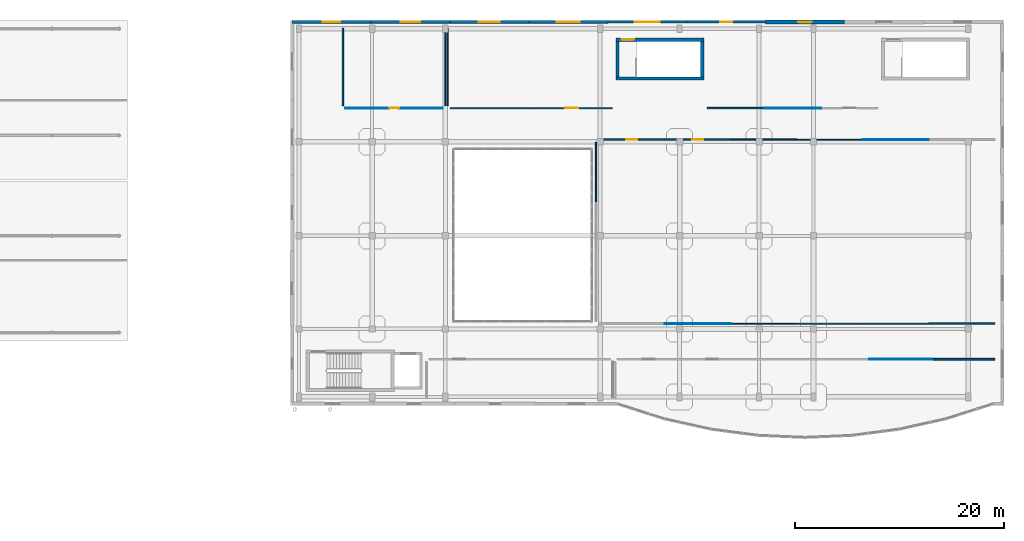
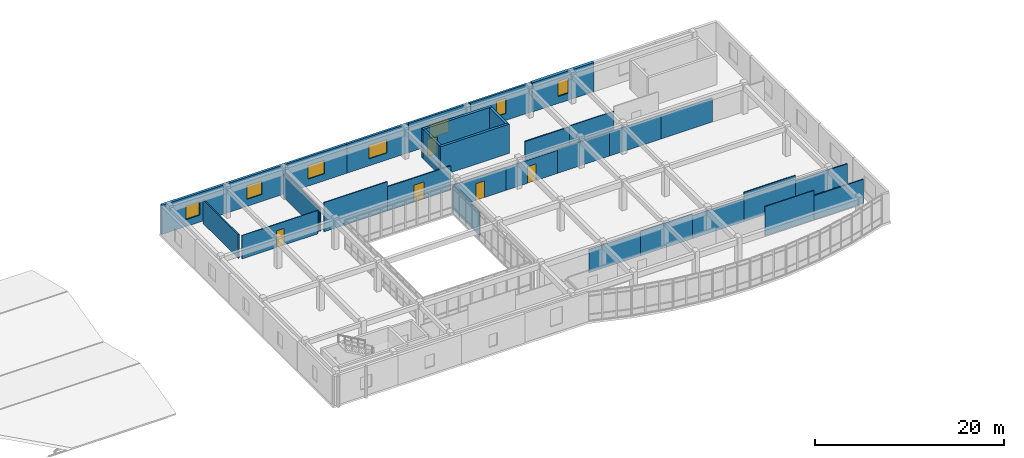
# One storey, part 82 of 91: 32 walls, 7 windows, 5 doors, 12 openings.
"""IFC4 building model written with IfcOpenShell, lengths in metres."""

from ifc_helpers import new_model, si_unit, direction, frame, frame_2d, origin, place, context, subcontext, project, spatial, rectangle, extrude, material, layer, layer_set, type_object, element, fill, save


model = new_model("IFC4")

# Units and contexts
model_context = context("Model", 3, precision=1e-05, world=origin(), true_north=direction((0.0, 1.0)))
body_context = subcontext(model_context, "Body", "Model", "MODEL_VIEW")
ifc_project = project(units=[si_unit("LENGTHUNIT", "METRE"), si_unit("AREAUNIT", "SQUARE_METRE"), si_unit("VOLUMEUNIT", "CUBIC_METRE"), si_unit("PLANEANGLEUNIT", "RADIAN"), si_unit("MASSUNIT", "GRAM", prefix="KILO")], contexts=[model_context])

# Site, building, storey
site_placement = place(None, origin())
site = spatial("IfcSite", under=ifc_project, at=site_placement, CompositionType="ELEMENT")
building_placement = place(site_placement, origin())
building = spatial("IfcBuilding", under=site, at=building_placement, Name="Valcora Specialist Clinic", CompositionType="ELEMENT")
storey_placement = place(building_placement, frame((0.0, 0.0, 13.60009765625)))
storey = spatial("IfcBuildingStorey", under=building, at=storey_placement, Name="L03", CompositionType="ELEMENT", Elevation=13.60009765625)

# Wall
ifc_material_1 = material(Name="Concrete C40/50", Category="concrete")
ifc_layer_1 = layer(ifc_material_1, 0.300048828125)
ifc_layer_set_1 = layer_set([ifc_layer_1], Name="Concrete C40/50")
wall_type_1 = type_object("IfcWallType", Name="TY-WL-CR300", PredefinedType="SHEAR", material=ifc_layer_set_1)
wall_1_placement = place(storey_placement, frame((92.300048828125, 105.25, 0.0), z_axis=(0.0, 0.0, 1.0), x_axis=(1.0, 0.0, 0.0)))
element("IfcWall", 1, at=wall_1_placement, inside=storey, type_object=wall_type_1, Name="Core shear wall WL-CR-C-V4B-L03-S", PredefinedType="SHEAR", context=body_context, shape_type="SweptSolid", body=[
    extrude(rectangle(XDim=8.419921875, YDim=0.300048828125, at=frame_2d((4.2099609375, 0.0))), origin(), (0.0, 0.0, 1.0), 3.77490234375),
])

# Wall, opening, door
wall_2_placement = place(storey_placement, frame((92.300048828125, 108.949951171875, 0.0), z_axis=(0.0, 0.0, 1.0), x_axis=(1.0, 0.0, 0.0)))
wall_2 = element("IfcWall", 2, at=wall_2_placement, inside=storey, type_object=wall_type_1, Name="Core shear wall WL-CR-C-V4B-L03-N", PredefinedType="SHEAR", context=body_context, shape_type="SweptSolid", body=[
    extrude(rectangle(XDim=8.419921875, YDim=0.300048828125, at=frame_2d((4.2099609375, 0.0))), origin(), (0.0, 0.0, 1.0), 3.77490234375),
])
opening_1_placement = place(wall_2_placement, frame((0.550048828125, 0.0, 0.0)))
opening_1 = element("IfcOpeningElement", 3, at=opening_1_placement, cuts=wall_2, Name="Opening DR-FD-120", PredefinedType="OPENING", context=body_context, shape_type="SweptSolid", body=[
    extrude(rectangle(XDim=1.199951171875, YDim=2.199951171875, at=frame_2d((0.60009765625, 1.10009765625))), frame((0.0, 0.159912109375, 0.0), z_axis=(0.0, -1.0, 0.0), x_axis=(1.0, 0.0, 0.0)), (0.0, 0.0, 1.0), 0.320068359375),
])
ifc_material_2 = material(Name="Galvanized Hollow Metal Door Steel ASTM A653", Category="steel")
door_type_1 = type_object("IfcDoorType", Name="TY-DR-ST120", OperationType="NOTDEFINED", PredefinedType="DOOR", material=ifc_material_2)
door_1_placement = place(opening_1_placement, origin())
door_1 = element("IfcDoor", 4, at=door_1_placement, inside=storey, type_object=door_type_1, Name="Exit stair fire door C-V4B L03", OperationType="SINGLE_SWING_LEFT", OverallHeight=2.199951171875, OverallWidth=1.199951171875, PredefinedType="DOOR", context=body_context, shape_type="SweptSolid", body=[
    extrude(rectangle(XDim=1.199951171875, YDim=2.199951171875, at=frame_2d((0.60009765625, 1.10009765625))), frame((0.0, 0.02490234375, 0.0), z_axis=(0.0, -1.0, 0.0), x_axis=(1.0, 0.0, 0.0)), (0.0, 0.0, 1.0), 0.050048828125),
])
fill(opening_1, door_1)

# Walls
wall_3_placement = place(storey_placement, frame((92.449951171875, 105.402099609375, 0.0), z_axis=(0.0, 0.0, 1.0), x_axis=(0.0, 1.0, 0.0)))
element("IfcWall", 5, at=wall_3_placement, inside=storey, type_object=wall_type_1, Name="Core shear wall WL-CR-C-V4B-L03-W", PredefinedType="SHEAR", context=body_context, shape_type="SweptSolid", body=[
    extrude(rectangle(XDim=3.39599609375, YDim=0.300048828125, at=frame_2d((1.697998046875, 0.0))), origin(), (0.0, 0.0, 1.0), 3.77490234375),
])
ifc_layer_2 = layer(ifc_material_1, 0.320068359375)
ifc_layer_set_2 = layer_set([ifc_layer_2], Name="Concrete C40/50")
wall_type_2 = type_object("IfcWallType", Name="TY-WL-CR320", PredefinedType="SHEAR", material=ifc_layer_set_2)
wall_4_placement = place(storey_placement, frame((100.56005859375, 105.402099609375, 0.0), z_axis=(0.0, 0.0, 1.0), x_axis=(0.0, 1.0, 0.0)))
element("IfcWall", 6, at=wall_4_placement, inside=storey, type_object=wall_type_2, Name="Core shear wall WL-CR-C-V4B-L03-E", PredefinedType="SHEAR", context=body_context, shape_type="SweptSolid", body=[
    extrude(rectangle(XDim=3.39599609375, YDim=0.320068359375, at=frame_2d((1.697998046875, 0.0))), origin(), (0.0, 0.0, 1.0), 3.77490234375),
])

# Wall, opening, window
ifc_material_3 = material(Name="Extruded Jalisco Clay Brick Masonry", Category="masonry")
ifc_layer_3 = layer(ifc_material_3, 0.235107421875)
ifc_layer_set_3 = layer_set([ifc_layer_3], Name="Extruded Jalisco Clay Brick Masonry")
wall_type_3 = type_object("IfcWallType", Name="TY-WL-EW235", PredefinedType="SOLIDWALL", material=ifc_layer_set_3)
wall_5_placement = place(storey_placement, frame((99.072265625, 110.64990234375, 0.0), z_axis=(0.0, 0.0, 1.0), x_axis=(1.0, 0.0, 0.0)))
wall_5 = element("IfcWall", 7, at=wall_5_placement, inside=storey, type_object=wall_type_3, Name="Exterior wall WL-EXT-L03-0210", PredefinedType="SOLIDWALL", context=body_context, shape_type="SweptSolid", body=[
    extrude(rectangle(XDim=7.54443359375, YDim=0.235107421875, at=frame_2d((3.772216796875, 0.0))), origin(), (0.0, 0.0, 1.0), 3.77490234375),
])
opening_2_placement = place(wall_5_placement, frame((3.197021484375, 0.0, 0.89990234375)))
opening_2 = element("IfcOpeningElement", 8, at=opening_2_placement, cuts=wall_5, Name="Opening WN-21", PredefinedType="OPENING", context=body_context, shape_type="SweptSolid", body=[
    extrude(rectangle(XDim=1.14990234375, YDim=2.0, at=frame_2d((0.574951171875, 1.0))), frame((0.0, 0.12744140625, 0.0), z_axis=(0.0, -1.0, 0.0), x_axis=(1.0, 0.0, 0.0)), (0.0, 0.0, 1.0), 0.255126953125),
])
ifc_material_4 = material(Name="Low-E Laminated Insulating Glass", Category="glass")
window_type_1 = type_object("IfcWindowType", Name="TY-WN-21", PartitioningType="SINGLE_PANEL", PredefinedType="WINDOW", material=ifc_material_4)
window_1_placement = place(opening_2_placement, origin())
window_1 = element("IfcWindow", 9, at=window_1_placement, inside=storey, type_object=window_type_1, Name="Facade window WN-L03-0189", OverallHeight=2.0, OverallWidth=1.14990234375, PartitioningType="SINGLE_PANEL", PredefinedType="WINDOW", context=body_context, shape_type="SweptSolid", body=[
    extrude(rectangle(XDim=1.14990234375, YDim=2.0, at=frame_2d((0.574951171875, 1.0))), frame((0.0, 0.030029296875, 0.0), z_axis=(0.0, -1.0, 0.0), x_axis=(1.0, 0.0, 0.0)), (0.0, 0.0, 1.0), 0.06005859375),
])
fill(opening_2, window_1)

ifc_layer_4 = layer(ifc_material_3, 0.25)
ifc_layer_set_4 = layer_set([ifc_layer_4], Name="Extruded Jalisco Clay Brick Masonry")
wall_type_4 = type_object("IfcWallType", Name="TY-WL-EW250", PredefinedType="SOLIDWALL", material=ifc_layer_set_4)
wall_6_placement = place(storey_placement, frame((91.52783203125, 110.64990234375, 0.0), z_axis=(0.0, 0.0, 1.0), x_axis=(1.0, 0.0, 0.0)))
wall_6 = element("IfcWall", 10, at=wall_6_placement, inside=storey, type_object=wall_type_4, Name="Exterior wall WL-EXT-L03-0209", PredefinedType="SOLIDWALL", context=body_context, shape_type="SweptSolid", body=[
    extrude(rectangle(XDim=7.54443359375, YDim=0.25, at=frame_2d((3.772216796875, 0.0))), origin(), (0.0, 0.0, 1.0), 3.77490234375),
])
opening_3_placement = place(wall_6_placement, frame((2.572021484375, 0.0, 0.89990234375)))
opening_3 = element("IfcOpeningElement", 11, at=opening_3_placement, cuts=wall_6, Name="Opening WN-20", PredefinedType="OPENING", context=body_context, shape_type="SweptSolid", body=[
    extrude(rectangle(XDim=2.39990234375, YDim=1.75, at=frame_2d((1.199951171875, 0.875))), frame((0.0, 0.135009765625, 0.0), z_axis=(0.0, -1.0, 0.0), x_axis=(1.0, 0.0, 0.0)), (0.0, 0.0, 1.0), 0.27001953125),
])
window_type_2 = type_object("IfcWindowType", Name="TY-WN-20", PartitioningType="SINGLE_PANEL", PredefinedType="WINDOW", material=ifc_material_4)
window_2_placement = place(opening_3_placement, origin())
window_2 = element("IfcWindow", 12, at=window_2_placement, inside=storey, type_object=window_type_2, Name="Facade window WN-L03-0188", OverallHeight=1.75, OverallWidth=2.39990234375, PartitioningType="SINGLE_PANEL", PredefinedType="WINDOW", context=body_context, shape_type="SweptSolid", body=[
    extrude(rectangle(XDim=2.39990234375, YDim=1.75, at=frame_2d((1.199951171875, 0.875))), frame((0.0, 0.030029296875, 0.0), z_axis=(0.0, -1.0, 0.0), x_axis=(1.0, 0.0, 0.0)), (0.0, 0.0, 1.0), 0.06005859375),
])
fill(opening_3, window_2)

ifc_layer_5 = layer(ifc_material_3, 0.264892578125)
ifc_layer_set_5 = layer_set([ifc_layer_5], Name="Extruded Jalisco Clay Brick Masonry")
wall_type_5 = type_object("IfcWallType", Name="TY-WL-EW265", PredefinedType="SOLIDWALL", material=ifc_layer_set_5)
wall_7_placement = place(storey_placement, frame((83.9833984375, 110.64990234375, 0.0), z_axis=(0.0, 0.0, 1.0), x_axis=(1.0, 0.0, 0.0)))
wall_7 = element("IfcWall", 13, at=wall_7_placement, inside=storey, type_object=wall_type_5, Name="Exterior wall WL-EXT-L03-0208", PredefinedType="SOLIDWALL", context=body_context, shape_type="SweptSolid", body=[
    extrude(rectangle(XDim=7.54443359375, YDim=0.264892578125, at=frame_2d((3.772216796875, 0.0))), origin(), (0.0, 0.0, 1.0), 3.77490234375),
])
opening_4_placement = place(wall_7_placement, frame((2.672119140625, 0.0, 0.89990234375)))
opening_4 = element("IfcOpeningElement", 14, at=opening_4_placement, cuts=wall_7, Name="Opening WN-19", PredefinedType="OPENING", context=body_context, shape_type="SweptSolid", body=[
    extrude(rectangle(XDim=2.199951171875, YDim=1.75, at=frame_2d((1.10009765625, 0.875))), frame((0.0, 0.142333984375, 0.0), z_axis=(0.0, -1.0, 0.0), x_axis=(1.0, 0.0, 0.0)), (0.0, 0.0, 1.0), 0.284912109375),
])
window_type_3 = type_object("IfcWindowType", Name="TY-WN-19", PartitioningType="SINGLE_PANEL", PredefinedType="WINDOW", material=ifc_material_4)
window_3_placement = place(opening_4_placement, origin())
window_3 = element("IfcWindow", 15, at=window_3_placement, inside=storey, type_object=window_type_3, Name="Facade window WN-L03-0187", OverallHeight=1.75, OverallWidth=2.199951171875, PartitioningType="SINGLE_PANEL", PredefinedType="WINDOW", context=body_context, shape_type="SweptSolid", body=[
    extrude(rectangle(XDim=2.199951171875, YDim=1.75, at=frame_2d((1.10009765625, 0.875))), frame((0.0, 0.030029296875, 0.0), z_axis=(0.0, -1.0, 0.0), x_axis=(1.0, 0.0, 0.0)), (0.0, 0.0, 1.0), 0.06005859375),
])
fill(opening_4, window_3)

ifc_layer_6 = layer(ifc_material_3, 0.280029296875)
ifc_layer_set_6 = layer_set([ifc_layer_6], Name="Extruded Jalisco Clay Brick Masonry")
wall_type_6 = type_object("IfcWallType", Name="TY-WL-EW280", PredefinedType="SOLIDWALL", material=ifc_layer_set_6)
wall_8_placement = place(storey_placement, frame((76.43896484375, 110.64990234375, 0.0), z_axis=(0.0, 0.0, 1.0), x_axis=(1.0, 0.0, 0.0)))
wall_8 = element("IfcWall", 16, at=wall_8_placement, inside=storey, type_object=wall_type_6, Name="Exterior wall WL-EXT-L03-0207", PredefinedType="SOLIDWALL", context=body_context, shape_type="SweptSolid", body=[
    extrude(rectangle(XDim=7.54443359375, YDim=0.280029296875, at=frame_2d((3.772216796875, 0.0))), origin(), (0.0, 0.0, 1.0), 3.77490234375),
])
opening_5_placement = place(wall_8_placement, frame((2.77197265625, 0.0, 0.89990234375)))
opening_5 = element("IfcOpeningElement", 17, at=opening_5_placement, cuts=wall_8, Name="Opening WN-18", PredefinedType="OPENING", context=body_context, shape_type="SweptSolid", body=[
    extrude(rectangle(XDim=2.0, YDim=1.75, at=frame_2d((1.0, 0.875))), frame((0.0, 0.14990234375, 0.0), z_axis=(0.0, -1.0, 0.0), x_axis=(1.0, 0.0, 0.0)), (0.0, 0.0, 1.0), 0.300048828125),
])
window_type_4 = type_object("IfcWindowType", Name="TY-WN-18", PartitioningType="SINGLE_PANEL", PredefinedType="WINDOW", material=ifc_material_4)
window_4_placement = place(opening_5_placement, origin())
window_4 = element("IfcWindow", 18, at=window_4_placement, inside=storey, type_object=window_type_4, Name="Facade window WN-L03-0186", OverallHeight=1.75, OverallWidth=2.0, PartitioningType="SINGLE_PANEL", PredefinedType="WINDOW", context=body_context, shape_type="SweptSolid", body=[
    extrude(rectangle(XDim=2.0, YDim=1.75, at=frame_2d((1.0, 0.875))), frame((0.0, 0.030029296875, 0.0), z_axis=(0.0, -1.0, 0.0), x_axis=(1.0, 0.0, 0.0)), (0.0, 0.0, 1.0), 0.06005859375),
])
fill(opening_5, window_4)

ifc_layer_7 = layer(ifc_material_3, 0.294921875)
ifc_layer_set_7 = layer_set([ifc_layer_7], Name="Extruded Jalisco Clay Brick Masonry")
wall_type_7 = type_object("IfcWallType", Name="TY-WL-EW295", PredefinedType="SOLIDWALL", material=ifc_layer_set_7)
wall_9_placement = place(storey_placement, frame((68.894287109375, 110.64990234375, 0.0), z_axis=(0.0, 0.0, 1.0), x_axis=(1.0, 0.0, 0.0)))
wall_9 = element("IfcWall", 19, at=wall_9_placement, inside=storey, type_object=wall_type_7, Name="Exterior wall WL-EXT-L03-0206", PredefinedType="SOLIDWALL", context=body_context, shape_type="SweptSolid", body=[
    extrude(rectangle(XDim=7.544677734375, YDim=0.294921875, at=frame_2d((3.7724609375, 0.0))), origin(), (0.0, 0.0, 1.0), 3.77490234375),
])
opening_6_placement = place(wall_9_placement, frame((2.846923828125, 0.0, 0.89990234375)))
opening_6 = element("IfcOpeningElement", 20, at=opening_6_placement, cuts=wall_9, Name="Opening WN-17", PredefinedType="OPENING", context=body_context, shape_type="SweptSolid", body=[
    extrude(rectangle(XDim=1.85009765625, YDim=1.75, at=frame_2d((0.925048828125, 0.875))), frame((0.0, 0.157470703125, 0.0), z_axis=(0.0, -1.0, 0.0), x_axis=(1.0, 0.0, 0.0)), (0.0, 0.0, 1.0), 0.31494140625),
])
window_type_5 = type_object("IfcWindowType", Name="TY-WN-17", PartitioningType="SINGLE_PANEL", PredefinedType="WINDOW", material=ifc_material_4)
window_5_placement = place(opening_6_placement, origin())
window_5 = element("IfcWindow", 21, at=window_5_placement, inside=storey, type_object=window_type_5, Name="Facade window WN-L03-0185", OverallHeight=1.75, OverallWidth=1.85009765625, PartitioningType="SINGLE_PANEL", PredefinedType="WINDOW", context=body_context, shape_type="SweptSolid", body=[
    extrude(rectangle(XDim=1.85009765625, YDim=1.75, at=frame_2d((0.925048828125, 0.875))), frame((0.0, 0.030029296875, 0.0), z_axis=(0.0, -1.0, 0.0), x_axis=(1.0, 0.0, 0.0)), (0.0, 0.0, 1.0), 0.06005859375),
])
fill(opening_6, window_5)

ifc_layer_8 = layer(ifc_material_3, 0.31005859375)
ifc_layer_set_8 = layer_set([ifc_layer_8], Name="Extruded Jalisco Clay Brick Masonry")
wall_type_8 = type_object("IfcWallType", Name="TY-WL-EW310", PredefinedType="SOLIDWALL", material=ifc_layer_set_8)
wall_10_placement = place(storey_placement, frame((61.35009765625, 110.64990234375, 0.0), z_axis=(0.0, 0.0, 1.0), x_axis=(1.0, 0.0, 0.0)))
wall_10 = element("IfcWall", 22, at=wall_10_placement, inside=storey, type_object=wall_type_8, Name="Exterior wall WL-EXT-L03-0205", PredefinedType="SOLIDWALL", context=body_context, shape_type="SweptSolid", body=[
    extrude(rectangle(XDim=7.544189453125, YDim=0.31005859375, at=frame_2d((3.77197265625, 0.0))), origin(), (0.0, 0.0, 1.0), 3.77490234375),
])
opening_7_placement = place(wall_10_placement, frame((2.922119140625, 0.0, 0.89990234375)))
opening_7 = element("IfcOpeningElement", 23, at=opening_7_placement, cuts=wall_10, Name="Opening WN-16", PredefinedType="OPENING", context=body_context, shape_type="SweptSolid", body=[
    extrude(rectangle(XDim=1.699951171875, YDim=1.75, at=frame_2d((0.85009765625, 0.875))), frame((0.0, 0.1650390625, 0.0), z_axis=(0.0, -1.0, 0.0), x_axis=(1.0, 0.0, 0.0)), (0.0, 0.0, 1.0), 0.330078125),
])
window_type_6 = type_object("IfcWindowType", Name="TY-WN-16", PartitioningType="SINGLE_PANEL", PredefinedType="WINDOW", material=ifc_material_4)
window_6_placement = place(opening_7_placement, origin())
window_6 = element("IfcWindow", 24, at=window_6_placement, inside=storey, type_object=window_type_6, Name="Facade window WN-L03-0184", OverallHeight=1.75, OverallWidth=1.699951171875, PartitioningType="SINGLE_PANEL", PredefinedType="WINDOW", context=body_context, shape_type="SweptSolid", body=[
    extrude(rectangle(XDim=1.699951171875, YDim=1.75, at=frame_2d((0.85009765625, 0.875))), frame((0.0, 0.030029296875, 0.0), z_axis=(0.0, -1.0, 0.0), x_axis=(1.0, 0.0, 0.0)), (0.0, 0.0, 1.0), 0.06005859375),
])
fill(opening_7, window_6)

ifc_layer_9 = layer(ifc_material_3, 0.3701171875)
ifc_layer_set_9 = layer_set([ifc_layer_9], Name="Extruded Jalisco Clay Brick Masonry")
wall_type_9 = type_object("IfcWallType", Name="TY-WL-EW370", PredefinedType="SOLIDWALL", material=ifc_layer_set_9)
wall_11_placement = place(storey_placement, frame((106.61669921875, 110.64990234375, 0.0), z_axis=(0.0, 0.0, 1.0), x_axis=(1.0, 0.0, 0.0)))
wall_11 = element("IfcWall", 25, at=wall_11_placement, inside=storey, type_object=wall_type_9, Name="Exterior wall WL-EXT-L03-0211", PredefinedType="SOLIDWALL", context=body_context, shape_type="SweptSolid", body=[
    extrude(rectangle(XDim=7.54443359375, YDim=0.3701171875, at=frame_2d((3.772216796875, 0.0))), origin(), (0.0, 0.0, 1.0), 3.77490234375),
])
opening_8_placement = place(wall_11_placement, frame((3.1220703125, 0.0, 0.89990234375)))
opening_8 = element("IfcOpeningElement", 26, at=opening_8_placement, cuts=wall_11, Name="Opening WN-22", PredefinedType="OPENING", context=body_context, shape_type="SweptSolid", body=[
    extrude(rectangle(XDim=1.300048828125, YDim=2.0, at=frame_2d((0.64990234375, 1.0))), frame((0.0, 0.195068359375, 0.0), z_axis=(0.0, -1.0, 0.0), x_axis=(1.0, 0.0, 0.0)), (0.0, 0.0, 1.0), 0.39013671875),
])
window_type_7 = type_object("IfcWindowType", Name="TY-WN-22", PartitioningType="SINGLE_PANEL", PredefinedType="WINDOW", material=ifc_material_4)
window_7_placement = place(opening_8_placement, origin())
window_7 = element("IfcWindow", 27, at=window_7_placement, inside=storey, type_object=window_type_7, Name="Facade window WN-L03-0190", OverallHeight=2.0, OverallWidth=1.300048828125, PartitioningType="SINGLE_PANEL", PredefinedType="WINDOW", context=body_context, shape_type="SweptSolid", body=[
    extrude(rectangle(XDim=1.300048828125, YDim=2.0, at=frame_2d((0.64990234375, 1.0))), frame((0.0, 0.030029296875, 0.0), z_axis=(0.0, -1.0, 0.0), x_axis=(1.0, 0.0, 0.0)), (0.0, 0.0, 1.0), 0.06005859375),
])
fill(opening_8, window_7)

# Walls
ifc_material_5 = material(Name="Gypsum Board Partition Assembly")
ifc_layer_10 = layer(ifc_material_5, 0.094970703125)
ifc_layer_set_10 = layer_set([ifc_layer_10], Name="Gypsum Board Partition Assembly")
wall_type_10 = type_object("IfcWallType", Name="TY-WL-PT095", PredefinedType="PARTITIONING", material=ifc_layer_set_10)
wall_12_placement = place(storey_placement, frame((116.51708984375, 78.39990234375, 0.0), z_axis=(0.0, 0.0, 1.0), x_axis=(1.0, 0.0, 0.0)))
element("IfcWall", 28, at=wall_12_placement, inside=storey, type_object=wall_type_10, Name="Interior partition WL-INT-L03-0389", PredefinedType="PARTITIONING", context=body_context, shape_type="SweptSolid", body=[
    extrude(rectangle(XDim=6.015869140625, YDim=0.094970703125, at=frame_2d((3.0078125, 0.0))), origin(), (0.0, 0.0, 1.0), 3.77490234375),
])
wall_13_placement = place(storey_placement, frame((115.9169921875, 99.39990234375, 0.0), z_axis=(0.0, 0.0, 1.0), x_axis=(1.0, 0.0, 0.0)))
element("IfcWall", 29, at=wall_13_placement, inside=storey, type_object=wall_type_10, Name="Interior partition WL-INT-L03-0395", PredefinedType="PARTITIONING", context=body_context, shape_type="SweptSolid", body=[
    extrude(rectangle(XDim=6.31591796875, YDim=0.094970703125, at=frame_2d((3.157958984375, 0.0))), origin(), (0.0, 0.0, 1.0), 3.125),
])
wall_14_placement = place(storey_placement, frame((103.282958984375, 81.800048828125, 0.0), z_axis=(0.0, 0.0, 1.0), x_axis=(-1.0, 0.0, 0.0)))
element("IfcWall", 30, at=wall_14_placement, inside=storey, type_object=wall_type_10, Name="Interior partition WL-INT-L03-0401", PredefinedType="PARTITIONING", context=body_context, shape_type="SweptSolid", body=[
    extrude(rectangle(XDim=6.31591796875, YDim=0.094970703125, at=frame_2d((3.157958984375, 0.0))), origin(), (0.0, 0.0, 1.0), 3.02490234375),
])

# Wall, opening, door
wall_15_placement = place(storey_placement, frame((75.75, 102.39990234375, 0.0), z_axis=(0.0, 0.0, 1.0), x_axis=(-1.0, 0.0, 0.0)))
wall_15 = element("IfcWall", 31, at=wall_15_placement, inside=storey, type_object=wall_type_10, Name="Interior partition WL-INT-L03-0407", PredefinedType="PARTITIONING", context=body_context, shape_type="SweptSolid", body=[
    extrude(rectangle(XDim=9.300048828125, YDim=0.094970703125, at=frame_2d((4.64990234375, 0.0))), origin(), (0.0, 0.0, 1.0), 3.02490234375),
])
opening_9_placement = place(wall_15_placement, frame((4.175048828125, 0.0, 0.0)))
opening_9 = element("IfcOpeningElement", 32, at=opening_9_placement, cuts=wall_15, Name="Opening DR-WC-095", PredefinedType="OPENING", context=body_context, shape_type="SweptSolid", body=[
    extrude(rectangle(XDim=0.949951171875, YDim=2.14990234375, at=frame_2d((0.47509765625, 1.074951171875))), frame((0.0, 0.057373046875, 0.0), z_axis=(0.0, -1.0, 0.0), x_axis=(1.0, 0.0, 0.0)), (0.0, 0.0, 1.0), 0.114990234375),
])
ifc_material_6 = material(Name="Glulam Conifer Class 24F", Category="wood")
door_type_2 = type_object("IfcDoorType", Name="TY-DR-WC095", OperationType="NOTDEFINED", PredefinedType="DOOR", material=ifc_material_6)
door_2_placement = place(opening_9_placement, origin())
door_2 = element("IfcDoor", 33, at=door_2_placement, inside=storey, type_object=door_type_2, Name="Interior door DR-INT-L03-0112", OperationType="SINGLE_SWING_RIGHT", OverallHeight=2.14990234375, OverallWidth=0.949951171875, PredefinedType="DOOR", context=body_context, shape_type="SweptSolid", body=[
    extrude(rectangle(XDim=0.949951171875, YDim=2.14990234375, at=frame_2d((0.47509765625, 1.074951171875))), frame((0.0, 0.02490234375, 0.0), z_axis=(0.0, -1.0, 0.0), x_axis=(1.0, 0.0, 0.0)), (0.0, 0.0, 1.0), 0.050048828125),
])
fill(opening_9, door_2)

# Walls
wall_16_placement = place(storey_placement, frame((111.9169921875, 102.39990234375, 0.0), z_axis=(0.0, 0.0, 1.0), x_axis=(-1.0, 0.0, 0.0)))
element("IfcWall", 34, at=wall_16_placement, inside=storey, type_object=wall_type_10, Name="Interior partition WL-INT-L03-0413", PredefinedType="PARTITIONING", context=body_context, shape_type="SweptSolid", body=[
    extrude(rectangle(XDim=5.43408203125, YDim=0.094970703125, at=frame_2d((2.717041015625, 0.0))), origin(), (0.0, 0.0, 1.0), 3.1748046875),
])
ifc_layer_11 = layer(ifc_material_5, 0.10498046875)
ifc_layer_set_11 = layer_set([ifc_layer_11], Name="Gypsum Board Partition Assembly")
wall_type_11 = type_object("IfcWallType", Name="TY-WL-PT105", PredefinedType="PARTITIONING", material=ifc_layer_set_11)
wall_17_placement = place(storey_placement, frame((109.60009765625, 99.39990234375, 0.0), z_axis=(0.0, 0.0, 1.0), x_axis=(1.0, 0.0, 0.0)))
element("IfcWall", 35, at=wall_17_placement, inside=storey, type_object=wall_type_11, Name="Interior partition WL-INT-L03-0394", PredefinedType="PARTITIONING", context=body_context, shape_type="SweptSolid", body=[
    extrude(rectangle(XDim=6.31689453125, YDim=0.10498046875, at=frame_2d((3.158447265625, 0.0))), origin(), (0.0, 0.0, 1.0), 3.125),
])
wall_18_placement = place(storey_placement, frame((109.60009765625, 81.800048828125, 0.0), z_axis=(0.0, 0.0, 1.0), x_axis=(-1.0, 0.0, 0.0)))
element("IfcWall", 36, at=wall_18_placement, inside=storey, type_object=wall_type_11, Name="Interior partition WL-INT-L03-0400", PredefinedType="PARTITIONING", context=body_context, shape_type="SweptSolid", body=[
    extrude(rectangle(XDim=6.317138671875, YDim=0.10498046875, at=frame_2d((3.15869140625, 0.0))), origin(), (0.0, 0.0, 1.0), 3.1748046875),
])
wall_19_placement = place(storey_placement, frame((76.0, 110.050048828125, 0.0), z_axis=(0.0, 0.0, 1.0), x_axis=(0.0, -1.0, 0.0)))
element("IfcWall", 37, at=wall_19_placement, inside=storey, type_object=wall_type_11, Name="Interior partition WL-INT-L03-0406", PredefinedType="PARTITIONING", context=body_context, shape_type="SweptSolid", body=[
    extrude(rectangle(XDim=7.400146484375, YDim=0.10498046875, at=frame_2d((3.7001953125, 0.0))), origin(), (0.0, 0.0, 1.0), 2.974853515625),
])
ifc_layer_12 = layer(ifc_material_5, 0.114990234375)
ifc_layer_set_12 = layer_set([ifc_layer_12], Name="Gypsum Board Partition Assembly")
wall_type_12 = type_object("IfcWallType", Name="TY-WL-PT115", PredefinedType="PARTITIONING", material=ifc_layer_set_12)
wall_20_placement = place(storey_placement, frame((103.282958984375, 99.39990234375, 0.0), z_axis=(0.0, 0.0, 1.0), x_axis=(1.0, 0.0, 0.0)))
element("IfcWall", 38, at=wall_20_placement, inside=storey, type_object=wall_type_12, Name="Interior partition WL-INT-L03-0393", PredefinedType="PARTITIONING", context=body_context, shape_type="SweptSolid", body=[
    extrude(rectangle(XDim=6.317138671875, YDim=0.114990234375, at=frame_2d((3.15869140625, 0.0))), origin(), (0.0, 0.0, 1.0), 3.074951171875),
])
wall_21_placement = place(storey_placement, frame((115.9169921875, 81.800048828125, 0.0), z_axis=(0.0, 0.0, 1.0), x_axis=(-1.0, 0.0, 0.0)))
element("IfcWall", 39, at=wall_21_placement, inside=storey, type_object=wall_type_12, Name="Interior partition WL-INT-L03-0399", PredefinedType="PARTITIONING", context=body_context, shape_type="SweptSolid", body=[
    extrude(rectangle(XDim=6.31689453125, YDim=0.114990234375, at=frame_2d((3.158447265625, 0.0))), origin(), (0.0, 0.0, 1.0), 2.974853515625),
])
wall_22_placement = place(storey_placement, frame((90.39990234375, 93.449951171875, 0.0), z_axis=(0.0, 0.0, 1.0), x_axis=(0.0, 1.0, 0.0)))
element("IfcWall", 40, at=wall_22_placement, inside=storey, type_object=wall_type_12, Name="Interior partition WL-INT-L03-0405", PredefinedType="PARTITIONING", context=body_context, shape_type="SweptSolid", body=[
    extrude(rectangle(XDim=5.699951171875, YDim=0.114990234375, at=frame_2d((2.85009765625, 0.0))), origin(), (0.0, 0.0, 1.0), 3.02490234375),
])
wall_23_placement = place(storey_placement, frame((76.199951171875, 102.64990234375, 0.0), z_axis=(0.0, 0.0, 1.0), x_axis=(0.0, 1.0, 0.0)))
element("IfcWall", 41, at=wall_23_placement, inside=storey, type_object=wall_type_12, Name="Interior partition WL-INT-L03-0411", PredefinedType="PARTITIONING", context=body_context, shape_type="SweptSolid", body=[
    extrude(rectangle(XDim=7.400146484375, YDim=0.114990234375, at=frame_2d((3.7001953125, 0.0))), origin(), (0.0, 0.0, 1.0), 2.974853515625),
])

# Wall, opening, door
ifc_layer_13 = layer(ifc_material_5, 0.125)
ifc_layer_set_13 = layer_set([ifc_layer_13], Name="Gypsum Board Partition Assembly")
wall_type_13 = type_object("IfcWallType", Name="TY-WL-PT125", PredefinedType="PARTITIONING", material=ifc_layer_set_13)
wall_24_placement = place(storey_placement, frame((96.967041015625, 99.39990234375, 0.0), z_axis=(0.0, 0.0, 1.0), x_axis=(1.0, 0.0, 0.0)))
wall_24 = element("IfcWall", 42, at=wall_24_placement, inside=storey, type_object=wall_type_13, Name="Interior partition WL-INT-L03-0392", PredefinedType="PARTITIONING", context=body_context, shape_type="SweptSolid", body=[
    extrude(rectangle(XDim=6.31591796875, YDim=0.125, at=frame_2d((3.157958984375, 0.0))), origin(), (0.0, 0.0, 1.0), 2.974853515625),
])
opening_10_placement = place(wall_24_placement, frame((2.64794921875, 0.0, 0.0)))
opening_10 = element("IfcOpeningElement", 43, at=opening_10_placement, cuts=wall_24, Name="Opening DR-CN-102", PredefinedType="OPENING", context=body_context, shape_type="SweptSolid", body=[
    extrude(rectangle(XDim=1.02001953125, YDim=2.14990234375, at=frame_2d((0.510009765625, 1.074951171875))), frame((0.0, 0.072509765625, 0.0), z_axis=(0.0, -1.0, 0.0), x_axis=(1.0, 0.0, 0.0)), (0.0, 0.0, 1.0), 0.14501953125),
])
door_type_3 = type_object("IfcDoorType", Name="TY-DR-CN102", OperationType="NOTDEFINED", PredefinedType="DOOR", material=ifc_material_6)
door_3_placement = place(opening_10_placement, origin())
door_3 = element("IfcDoor", 44, at=door_3_placement, inside=storey, type_object=door_type_3, Name="Interior door DR-INT-L03-0111", OperationType="SINGLE_SWING_LEFT", OverallHeight=2.14990234375, OverallWidth=1.02001953125, PredefinedType="DOOR", context=body_context, shape_type="SweptSolid", body=[
    extrude(rectangle(XDim=1.02001953125, YDim=2.14990234375, at=frame_2d((0.510009765625, 1.074951171875))), frame((0.0, 0.02490234375, 0.0), z_axis=(0.0, -1.0, 0.0), x_axis=(1.0, 0.0, 0.0)), (0.0, 0.0, 1.0), 0.050048828125),
])
fill(opening_10, door_3)

# Walls
wall_25_placement = place(storey_placement, frame((122.23291015625, 81.800048828125, 0.0), z_axis=(0.0, 0.0, 1.0), x_axis=(-1.0, 0.0, 0.0)))
element("IfcWall", 45, at=wall_25_placement, inside=storey, type_object=wall_type_13, Name="Interior partition WL-INT-L03-0398", PredefinedType="PARTITIONING", context=body_context, shape_type="SweptSolid", body=[
    extrude(rectangle(XDim=6.31591796875, YDim=0.125, at=frame_2d((3.157958984375, 0.0))), origin(), (0.0, 0.0, 1.0), 3.77490234375),
])
wall_26_placement = place(storey_placement, frame((84.199951171875, 102.39990234375, 0.0), z_axis=(0.0, 0.0, 1.0), x_axis=(-1.0, 0.0, 0.0)))
element("IfcWall", 46, at=wall_26_placement, inside=storey, type_object=wall_type_13, Name="Interior partition WL-INT-L03-0410", PredefinedType="PARTITIONING", context=body_context, shape_type="SweptSolid", body=[
    extrude(rectangle(XDim=7.75, YDim=0.125, at=frame_2d((3.875, 0.0))), origin(), (0.0, 0.0, 1.0), 3.77490234375),
])

# Wall, opening, door
ifc_layer_14 = layer(ifc_material_5, 0.135009765625)
ifc_layer_set_14 = layer_set([ifc_layer_14], Name="Gypsum Board Partition Assembly")
wall_type_14 = type_object("IfcWallType", Name="TY-WL-PT135", PredefinedType="PARTITIONING", material=ifc_layer_set_14)
wall_27_placement = place(storey_placement, frame((90.64990234375, 99.39990234375, 0.0), z_axis=(0.0, 0.0, 1.0), x_axis=(1.0, 0.0, 0.0)))
wall_27 = element("IfcWall", 47, at=wall_27_placement, inside=storey, type_object=wall_type_14, Name="Interior partition WL-INT-L03-0391", PredefinedType="PARTITIONING", context=body_context, shape_type="SweptSolid", body=[
    extrude(rectangle(XDim=6.317138671875, YDim=0.135009765625, at=frame_2d((3.15869140625, 0.0))), origin(), (0.0, 0.0, 1.0), 2.974853515625),
])
opening_11_placement = place(wall_27_placement, frame((2.6279296875, 0.0, 0.0)))
opening_11 = element("IfcOpeningElement", 48, at=opening_11_placement, cuts=wall_27, Name="Opening DR-CN-106", PredefinedType="OPENING", context=body_context, shape_type="SweptSolid", body=[
    extrude(rectangle(XDim=1.06005859375, YDim=2.14990234375, at=frame_2d((0.530029296875, 1.074951171875))), frame((0.0, 0.077392578125, 0.0), z_axis=(0.0, -1.0, 0.0), x_axis=(1.0, 0.0, 0.0)), (0.0, 0.0, 1.0), 0.155029296875),
])
door_type_4 = type_object("IfcDoorType", Name="TY-DR-CN106", OperationType="NOTDEFINED", PredefinedType="DOOR", material=ifc_material_6)
door_4_placement = place(opening_11_placement, origin())
door_4 = element("IfcDoor", 49, at=door_4_placement, inside=storey, type_object=door_type_4, Name="Interior door DR-INT-L03-0110", OperationType="SINGLE_SWING_RIGHT", OverallHeight=2.14990234375, OverallWidth=1.06005859375, PredefinedType="DOOR", context=body_context, shape_type="SweptSolid", body=[
    extrude(rectangle(XDim=1.06005859375, YDim=2.14990234375, at=frame_2d((0.530029296875, 1.074951171875))), frame((0.0, 0.02490234375, 0.0), z_axis=(0.0, -1.0, 0.0), x_axis=(1.0, 0.0, 0.0)), (0.0, 0.0, 1.0), 0.050048828125),
])
fill(opening_11, door_4)

# Wall
wall_28_placement = place(storey_placement, frame((128.550048828125, 81.800048828125, 0.0), z_axis=(0.0, 0.0, 1.0), x_axis=(-1.0, 0.0, 0.0)))
element("IfcWall", 50, at=wall_28_placement, inside=storey, type_object=wall_type_14, Name="Interior partition WL-INT-L03-0397", PredefinedType="PARTITIONING", context=body_context, shape_type="SweptSolid", body=[
    extrude(rectangle(XDim=6.317138671875, YDim=0.135009765625, at=frame_2d((3.15869140625, 0.0))), origin(), (0.0, 0.0, 1.0), 3.074951171875),
])

# Wall, opening, door
wall_29_placement = place(storey_placement, frame((91.949951171875, 102.39990234375, 0.0), z_axis=(0.0, 0.0, 1.0), x_axis=(-1.0, 0.0, 0.0)))
wall_29 = element("IfcWall", 51, at=wall_29_placement, inside=storey, type_object=wall_type_14, Name="Interior partition WL-INT-L03-0409", PredefinedType="PARTITIONING", context=body_context, shape_type="SweptSolid", body=[
    extrude(rectangle(XDim=7.75, YDim=0.135009765625, at=frame_2d((3.875, 0.0))), origin(), (0.0, 0.0, 1.0), 3.125),
])
opening_12_placement = place(wall_29_placement, frame((3.264892578125, 0.0, 0.0)))
opening_12 = element("IfcOpeningElement", 52, at=opening_12_placement, cuts=wall_29, Name="Opening DR-CN-122", PredefinedType="OPENING", context=body_context, shape_type="SweptSolid", body=[
    extrude(rectangle(XDim=1.219970703125, YDim=2.199951171875, at=frame_2d((0.60986328125, 1.10009765625))), frame((0.0, 0.077392578125, 0.0), z_axis=(0.0, -1.0, 0.0), x_axis=(1.0, 0.0, 0.0)), (0.0, 0.0, 1.0), 0.155029296875),
])
door_type_5 = type_object("IfcDoorType", Name="TY-DR-CN122", OperationType="NOTDEFINED", PredefinedType="DOOR", material=ifc_material_6)
door_5_placement = place(opening_12_placement, origin())
door_5 = element("IfcDoor", 53, at=door_5_placement, inside=storey, type_object=door_type_5, Name="Interior door DR-INT-L03-0113", OperationType="SINGLE_SWING_LEFT", OverallHeight=2.199951171875, OverallWidth=1.219970703125, PredefinedType="DOOR", context=body_context, shape_type="SweptSolid", body=[
    extrude(rectangle(XDim=1.219970703125, YDim=2.199951171875, at=frame_2d((0.60986328125, 1.10009765625))), frame((0.0, 0.02490234375, 0.0), z_axis=(0.0, -1.0, 0.0), x_axis=(1.0, 0.0, 0.0)), (0.0, 0.0, 1.0), 0.050048828125),
])
fill(opening_12, door_5)

# Walls
ifc_layer_15 = layer(ifc_material_5, 0.14501953125)
ifc_layer_set_15 = layer_set([ifc_layer_15], Name="Gypsum Board Partition Assembly")
wall_type_15 = type_object("IfcWallType", Name="TY-WL-PT145", PredefinedType="PARTITIONING", material=ifc_layer_set_15)
wall_30_placement = place(storey_placement, frame((122.532958984375, 78.39990234375, 0.0), z_axis=(0.0, 0.0, 1.0), x_axis=(1.0, 0.0, 0.0)))
element("IfcWall", 54, at=wall_30_placement, inside=storey, type_object=wall_type_15, Name="Interior partition WL-INT-L03-0390", PredefinedType="PARTITIONING", context=body_context, shape_type="SweptSolid", body=[
    extrude(rectangle(XDim=6.01708984375, YDim=0.14501953125, at=frame_2d((3.008544921875, 0.0))), origin(), (0.0, 0.0, 1.0), 3.125),
])
wall_31_placement = place(storey_placement, frame((66.199951171875, 102.64990234375, 0.0), z_axis=(0.0, 0.0, 1.0), x_axis=(0.0, 1.0, 0.0)))
element("IfcWall", 55, at=wall_31_placement, inside=storey, type_object=wall_type_15, Name="Interior partition WL-INT-L03-0408", PredefinedType="PARTITIONING", context=body_context, shape_type="SweptSolid", body=[
    extrude(rectangle(XDim=7.400146484375, YDim=0.14501953125, at=frame_2d((3.7001953125, 0.0))), origin(), (0.0, 0.0, 1.0), 3.074951171875),
])
wall_32_placement = place(storey_placement, frame((106.48291015625, 102.39990234375, 0.0), z_axis=(0.0, 0.0, 1.0), x_axis=(-1.0, 0.0, 0.0)))
element("IfcWall", 56, at=wall_32_placement, inside=storey, type_object=wall_type_15, Name="Interior partition WL-INT-L03-0414", PredefinedType="PARTITIONING", context=body_context, shape_type="SweptSolid", body=[
    extrude(rectangle(XDim=5.432861328125, YDim=0.14501953125, at=frame_2d((2.71630859375, 0.0))), origin(), (0.0, 0.0, 1.0), 3.074951171875),
])

save(model, "model.ifc")
